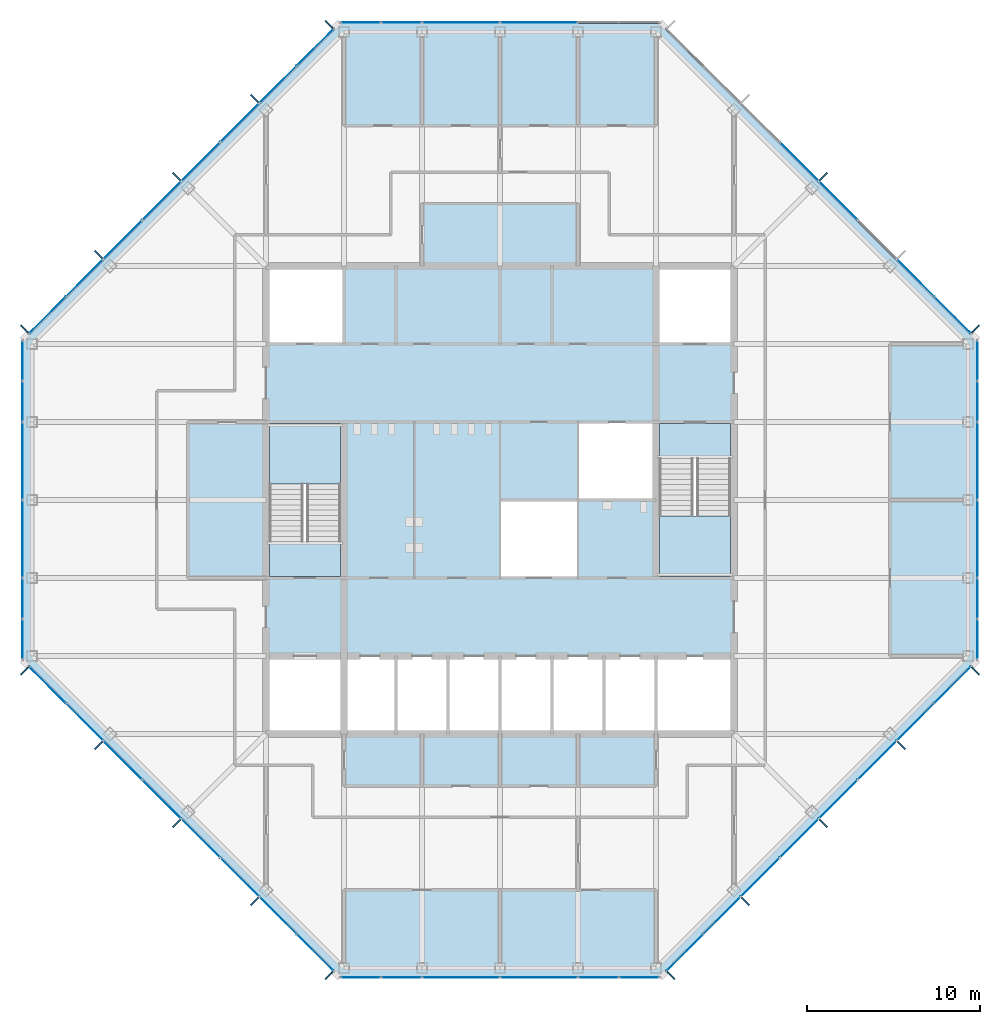
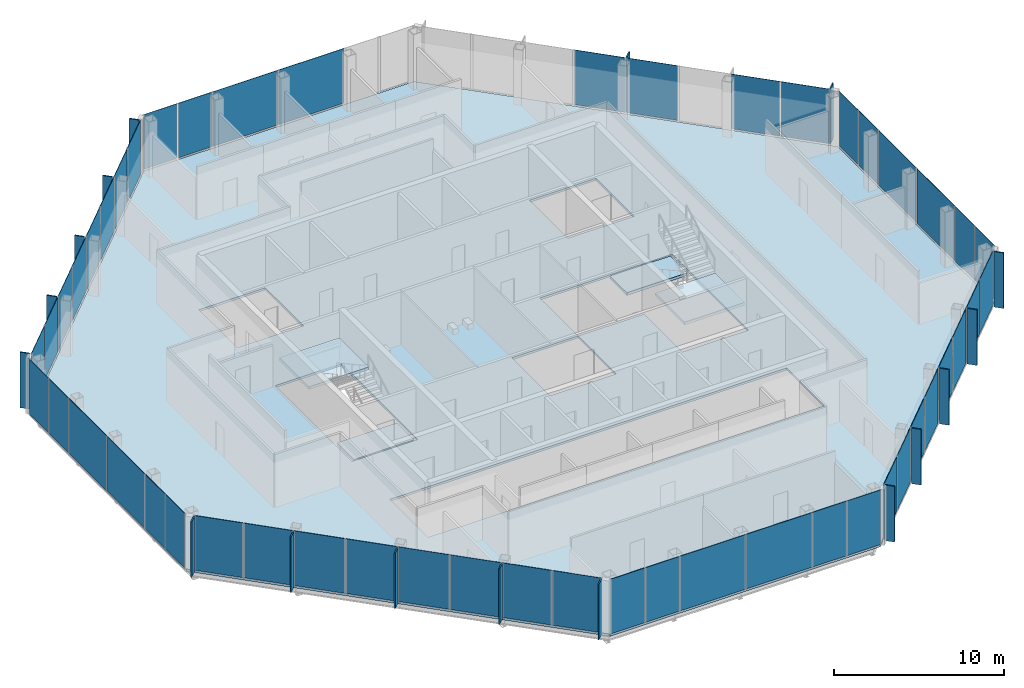
# One storey, part 8 of 14: 67 plates, 5 slabs, 10 elements without a shape of their own.
"""IFC4 building model written with IfcOpenShell, lengths in metres."""

import ifcopenshell
import ifcopenshell.guid

model = None  # the IFC model being written
_history = None  # IfcOwnerHistory: only IFC2X3 demands one
_inside = {}  # id of a spatial element -> (the spatial element, [elements in it])
_under = {}  # id of a project, library or spatial element -> (it, [spatial elements below it])
_declared = {}  # id of a project -> (the project, [libraries it declares])
_typed = {}  # id of a type object -> (the type object, [elements of that type])
_made_of = {}  # id of a material, layer set ... -> (it, [elements and type objects made of it])


def new_model(schema):
    """Start an empty IFC model of exactly this schema.

    Asked for "IFC4X3", IfcOpenShell would pick the latest addendum, in which some entities
    have other attributes; the version numbers below select the first issue.
    IFC2X3 requires an IfcOwnerHistory on every rooted entity: one is made here for all.
    """
    global model, _history
    if schema == "IFC4X3":
        model = ifcopenshell.file(schema_version=(4, 3, 0, 0))
    else:
        model = ifcopenshell.file(schema=schema)
    _inside.clear()
    _under.clear()
    _declared.clear()
    _typed.clear()
    _made_of.clear()
    _history = None
    if model.schema == "IFC2X3":
        org = make("IfcOrganization", Name="unknown")
        user = make(
            "IfcPersonAndOrganization",
            ThePerson=make("IfcPerson", FamilyName="unknown"),
            TheOrganization=org,
        )
        app = make(
            "IfcApplication",
            ApplicationDeveloper=org,
            Version="unknown",
            ApplicationFullName="unknown",
            ApplicationIdentifier="unknown",
        )
        _history = make(
            "IfcOwnerHistory",
            OwningUser=user,
            OwningApplication=app,
            ChangeAction="ADDED",
            CreationDate=0,
        )
    return model


def make(cls, **values):
    """One entity of the class cls with the attributes given. An attribute that is None is left unset."""
    return model.create_entity(
        cls, **{name: value for name, value in values.items() if value is not None}
    )


def rooted(cls, **values):
    """An entity with a GlobalId (a new one), such as an element, a storey or a relation."""
    return make(cls, GlobalId=ifcopenshell.guid.new(), OwnerHistory=_history, **values)


def si_unit(unit_type, name, prefix=None):
    """IfcSIUnit, for example si_unit("LENGTHUNIT", "METRE", prefix="MILLI")."""
    return make("IfcSIUnit", UnitType=unit_type, Prefix=prefix, Name=name)


def assignment(units):
    """IfcUnitAssignment: the units of a project."""
    return None if units is None else make("IfcUnitAssignment", Units=units)


def point(xyz):
    """IfcCartesianPoint."""
    return None if xyz is None else make("IfcCartesianPoint", Coordinates=xyz)


def direction(xyz):
    """IfcDirection."""
    return None if xyz is None else make("IfcDirection", DirectionRatios=xyz)


def frame(location, z_axis=None, x_axis=None):
    """IfcAxis2Placement3D, a coordinate frame: its origin and axes. An axis left out is left unset."""
    return make(
        "IfcAxis2Placement3D",
        Location=point(location),
        Axis=direction(z_axis),
        RefDirection=direction(x_axis),
    )


def frame_2d(location, x_axis=None):
    """IfcAxis2Placement2D, a coordinate frame in the plane: its origin and x axis."""
    return make(
        "IfcAxis2Placement2D", Location=point(location), RefDirection=direction(x_axis)
    )


def origin():
    """The frame at (0, 0, 0) with its axes left unset."""
    return frame((0.0, 0.0, 0.0))


def origin_2d():
    """The frame at (0, 0) in the plane with its x axis left unset."""
    return frame_2d((0.0, 0.0))


def place(relative_to, where):
    """IfcLocalPlacement: puts the frame where relative to a parent placement (None: the world)."""
    return make(
        "IfcLocalPlacement", PlacementRelTo=relative_to, RelativePlacement=where
    )


def context(
    kind, dimensions, precision=None, world=None, true_north=None, identifier=None
):
    """IfcGeometricRepresentationContext, for example the 3D "Model" context."""
    return make(
        "IfcGeometricRepresentationContext",
        ContextIdentifier=identifier,
        ContextType=kind,
        CoordinateSpaceDimension=dimensions,
        Precision=precision,
        WorldCoordinateSystem=world,
        TrueNorth=true_north,
    )


def subcontext(parent, identifier, kind, view, scale=None):
    """IfcGeometricRepresentationSubContext, for example "Body" below "Model"."""
    return make(
        "IfcGeometricRepresentationSubContext",
        ContextIdentifier=identifier,
        ContextType=kind,
        ParentContext=parent,
        TargetScale=scale,
        TargetView=view,
    )


def project(units=None, contexts=None):
    """IfcProject with its units and contexts."""
    return rooted(
        "IfcProject",
        Name="project",
        RepresentationContexts=contexts,
        UnitsInContext=assignment(units),
    )


def spatial(cls, under=None, at=None, **own):
    """A site, building, storey or space (cls), placed at a placement, below another one or the project."""
    s = rooted(cls, ObjectPlacement=at, **own)
    if under is not None:
        _under.setdefault(under.id(), (under, []))[1].append(s)
    return s


def polyline(points):
    """IfcPolyline through the points."""
    return make("IfcPolyline", Points=[point(p) for p in points])


def profile(cls, at=None, kind="AREA", **sizes):
    """A parametric profile (cls). Its sizes go by their IFC names, for example OverallWidth=200.0."""
    return make(cls, ProfileType=kind, Position=at, **sizes)


def rectangle(**sizes):
    """IfcRectangleProfileDef."""
    return profile("IfcRectangleProfileDef", **sizes)


def outline(outer, holes=None, kind="AREA"):
    """IfcArbitraryClosedProfileDef: a profile drawn as a closed curve; with holes, ...WithVoids."""
    if holes is None:
        return make("IfcArbitraryClosedProfileDef", ProfileType=kind, OuterCurve=outer)
    return make(
        "IfcArbitraryProfileDefWithVoids",
        ProfileType=kind,
        OuterCurve=outer,
        InnerCurves=holes,
    )


def extrude(swept, where, along, depth):
    """IfcExtrudedAreaSolid: the profile swept, set in the frame where, extruded along a direction by depth."""
    return make(
        "IfcExtrudedAreaSolid",
        SweptArea=swept,
        Position=where,
        ExtrudedDirection=direction(along),
        Depth=depth,
    )


def shape(context_of_items, identifier, shape_type, items):
    """IfcShapeRepresentation: the items that make up one representation, for example the "Body"."""
    return make(
        "IfcShapeRepresentation",
        ContextOfItems=context_of_items,
        RepresentationIdentifier=identifier,
        RepresentationType=shape_type,
        Items=items,
    )


def material(Name=None, Category=None):
    """IfcMaterial."""
    return make("IfcMaterial", Name=Name, Category=Category)


def layer(
    of_material, thickness, ventilated=None, Name=None, Category=None, Priority=None
):
    """IfcMaterialLayer: one layer of a wall or slab, of a material (None: an air gap)."""
    return make(
        "IfcMaterialLayer",
        Material=of_material,
        LayerThickness=thickness,
        IsVentilated=ventilated,
        Name=Name,
        Category=Category,
        Priority=Priority,
    )


def layer_set(layers, Name=None):
    """IfcMaterialLayerSet."""
    return make("IfcMaterialLayerSet", MaterialLayers=layers, LayerSetName=Name)


def made_of(thing, what):
    """Note that an element or type object is made of a material, layer set ...; save() writes the relation."""
    if what is not None:
        _made_of.setdefault(what.id(), (what, []))[1].append(thing)
    return thing


def type_object(cls, material=None, **own):
    """A type object (cls), such as IfcWallType, which elements share."""
    return made_of(rooted(cls, **own), material)


def element(
    cls,
    number,
    at=None,
    inside=None,
    cuts=None,
    type_object=None,
    material=None,
    context=None,
    identifier="Body",
    shape_type=None,
    held_by="IfcProductDefinitionShape",
    body=None,
    shapes=None,
    **own,
):
    """One element of the class cls, such as IfcWall. Its Tag is "e" and its number.

    at: its placement. inside: the storey or other place that contains it. cuts: it is an
    opening in that element (IfcRelVoidsElement). A single representation is given by context,
    identifier, shape_type and body (its items); several are given by shapes. held_by: the class
    of the entity that holds the representations. save() writes the other relations.
    """
    e = rooted(cls, Tag="e%d" % number, ObjectPlacement=at, **own)
    if body is not None:
        shapes = [shape(context, identifier, shape_type, body)]
    if shapes is not None:
        e.Representation = make(held_by, Representations=shapes)
    if inside is not None:
        _inside.setdefault(inside.id(), (inside, []))[1].append(e)
    if cuts is not None:
        rooted(
            "IfcRelVoidsElement", RelatingBuildingElement=cuts, RelatedOpeningElement=e
        )
    if type_object is not None:
        _typed.setdefault(type_object.id(), (type_object, []))[1].append(e)
    return made_of(e, material)


def aggregate(whole, parts):
    """IfcRelAggregates: a whole, such as a stair, and the parts it consists of."""
    return rooted("IfcRelAggregates", RelatingObject=whole, RelatedObjects=parts)


def save(model, path):
    """Write the relations noted so far, then the file.

    IfcRelAggregates (storeys below a building ...), IfcRelContainedInSpatialStructure (elements
    in a storey), IfcRelDefinesByType, IfcRelAssociatesMaterial and IfcRelDeclares: one each for
    every whole, place, type object, material and project.
    """
    for whole, parts in _under.values():
        aggregate(whole, parts)
    for where, things in _inside.values():
        rooted(
            "IfcRelContainedInSpatialStructure",
            RelatedElements=things,
            RelatingStructure=where,
        )
    for kind, things in _typed.values():
        rooted("IfcRelDefinesByType", RelatedObjects=things, RelatingType=kind)
    for what, things in _made_of.values():
        rooted("IfcRelAssociatesMaterial", RelatedObjects=things, RelatingMaterial=what)
    for by, libraries in _declared.values():
        rooted("IfcRelDeclares", RelatingContext=by, RelatedDefinitions=libraries)
    model.write(path)


model = new_model("IFC4")

# Units and contexts
model_context = context("Model", 3, precision=1e-05, world=origin(), true_north=direction((0.0, 1.0)))
body_context = subcontext(model_context, "Body", "Model", "MODEL_VIEW")
ifc_project = project(units=[si_unit("LENGTHUNIT", "METRE"), si_unit("AREAUNIT", "SQUARE_METRE"), si_unit("VOLUMEUNIT", "CUBIC_METRE"), si_unit("PLANEANGLEUNIT", "RADIAN"), si_unit("MASSUNIT", "GRAM", prefix="KILO")], contexts=[model_context])

# Site, building, storey
site_placement = place(None, origin())
site = spatial("IfcSite", under=ifc_project, at=site_placement, CompositionType="ELEMENT")
building_placement = place(site_placement, origin())
building = spatial("IfcBuilding", under=site, at=building_placement, Name="Corais Broadcast Tower", CompositionType="ELEMENT")
storey_placement = place(building_placement, frame((0.0, 0.0, 282.60009765625)))
storey = spatial("IfcBuildingStorey", under=building, at=storey_placement, Name="L66", CompositionType="ELEMENT", Elevation=282.60009765625)

# Slab
ifc_material_1 = material(Name="Concrete C30/37", Category="concrete")
ifc_layer_1 = layer(ifc_material_1, 0.159912109375)
ifc_layer_set_1 = layer_set([ifc_layer_1], Name="Concrete C30/37")
slab_type_1 = type_object("IfcSlabType", Name="Composite floor slab 160", PredefinedType="FLOOR", material=ifc_layer_set_1)
slab_1_placement = place(storey_placement, frame((0.0, 0.0, -0.16015625)))
element("IfcSlab", 1, at=slab_1_placement, inside=storey, type_object=slab_type_1, Name="S160 floor slab L66", PredefinedType="FLOOR", context=body_context, shape_type="SweptSolid", body=[
    extrude(outline(polyline([(17.80126953125, -0.47998046875), (-0.47998046875, 17.80126953125), (-0.47998046875, 36.19873046875), (17.80126953125, 54.47998046875), (36.19873046875, 54.47998046875), (54.47998046875, 36.19873046875), (54.47998046875, 17.80126953125), (36.19873046875, -0.47998046875), (17.80126953125, -0.47998046875)]), holes=[polyline([(13.5, 18.0), (40.5, 18.0), (40.5, 13.5), (13.5, 13.5), (13.5, 18.0)]), polyline([(18.0, 22.5), (13.5, 22.5), (13.5, 31.5), (18.0, 31.5), (18.0, 22.5)]), polyline([(18.0, 36.0), (13.5, 36.0), (13.5, 40.5), (18.0, 40.5), (18.0, 36.0)]), polyline([(31.5, 22.5), (27.0, 22.5), (27.0, 27.0), (31.4951171875, 27.0), (31.4951171875, 27.0048828125), (31.5, 27.0048828125), (31.5, 31.5), (40.5, 31.5), (40.5, 22.5), (36.0, 22.5), (36.0, 27.0), (31.5048828125, 27.0), (31.5048828125, 26.9951171875), (31.5, 26.9951171875), (31.5, 22.5)]), polyline([(40.5, 36.0), (36.0, 36.0), (36.0, 40.5), (40.5, 40.5), (40.5, 36.0)])]), origin(), (0.0, 0.0, 1.0), 0.16015625),
])

# Curtain wall, plates
ifc_material_2 = material(Name="Aluminium and glass", Category="aluminium")
curtain_wall_type = type_object("IfcCurtainWallType", Name="Unitised fritted curtain wall CW3", PredefinedType="NOTDEFINED", material=ifc_material_2)
curtain_wall_1_placement = place(storey_placement, origin())
curtain_wall_1 = element("IfcCurtainWall", 2, at=curtain_wall_1_placement, inside=storey, type_object=curtain_wall_type, Name="CW3 curtain wall L66 1", PredefinedType="NOTDEFINED")
ifc_material_3 = material(Name="Ceramic-fritted laminated glass", Category="glass")
ifc_layer_2 = layer(ifc_material_3, 0.02587890625)
ifc_layer_set_2 = layer_set([ifc_layer_2], Name="Ceramic-fritted laminated glass")
plate_type_1 = type_object("IfcPlateType", Name="Fritted glass panel CW3", PredefinedType="CURTAIN_PANEL", material=ifc_layer_set_2)
plate_1_placement = place(storey_placement, frame((16.330322265625, 0.891845703125, 0.06494140625), z_axis=(0.0, 0.0, 1.0), x_axis=(-0.707106781187, 0.707106781187, 0.0)))
plate_1 = element("IfcPlate", 3, at=plate_1_placement, type_object=plate_type_1, Name="CW3 panel 1", PredefinedType="CURTAIN_PANEL", context=body_context, shape_type="SweptSolid", body=[
    extrude(rectangle(XDim=2.9482421875, YDim=0.02587890625, at=origin_2d()), origin(), (0.0, 0.0, 1.0), 3.93505859375),
])
plate_2_placement = place(storey_placement, frame((11.986083984375, 5.236083984375, 0.06494140625), z_axis=(0.0, 0.0, 1.0), x_axis=(-0.707106781187, 0.707106781187, 0.0)))
plate_2 = element("IfcPlate", 4, at=plate_2_placement, type_object=plate_type_1, Name="CW3 panel 3", PredefinedType="CURTAIN_PANEL", context=body_context, shape_type="SweptSolid", body=[
    extrude(rectangle(XDim=3.116943359375, YDim=0.02587890625, at=origin_2d()), origin(), (0.0, 0.0, 1.0), 3.93505859375),
])
plate_3_placement = place(storey_placement, frame((7.486083984375, 9.736083984375, 0.06494140625), z_axis=(0.0, 0.0, 1.0), x_axis=(-0.707106781187, 0.707106781187, 0.0)))
plate_3 = element("IfcPlate", 5, at=plate_3_placement, type_object=plate_type_1, Name="CW3 panel 5", PredefinedType="CURTAIN_PANEL", context=body_context, shape_type="SweptSolid", body=[
    extrude(rectangle(XDim=3.116943359375, YDim=0.02587890625, at=origin_2d()), origin(), (0.0, 0.0, 1.0), 3.93505859375),
])
plate_4_placement = place(storey_placement, frame((3.0341796875, 14.18798828125, 0.06494140625), z_axis=(0.0, 0.0, 1.0), x_axis=(-0.707106781187, 0.707106781187, 0.0)))
plate_4 = element("IfcPlate", 6, at=plate_4_placement, type_object=plate_type_1, Name="CW3 panel 7", PredefinedType="CURTAIN_PANEL", context=body_context, shape_type="SweptSolid", body=[
    extrude(rectangle(XDim=2.98095703125, YDim=0.02587890625, at=origin_2d()), origin(), (0.0, 0.0, 1.0), 3.93505859375),
])

curtain_wall_2_placement = place(storey_placement, origin())
curtain_wall_2 = element("IfcCurtainWall", 7, at=curtain_wall_2_placement, inside=storey, type_object=curtain_wall_type, Name="CW3 curtain wall L66 2", PredefinedType="NOTDEFINED")
plate_5_placement = place(storey_placement, frame((-0.550048828125, 18.970458984375, 0.06494140625), z_axis=(0.0, 0.0, 1.0), x_axis=(0.0, 1.0, 0.0)))
plate_5 = element("IfcPlate", 8, at=plate_5_placement, type_object=plate_type_1, Name="CW3 panel 1", PredefinedType="CURTAIN_PANEL", context=body_context, shape_type="SweptSolid", body=[
    extrude(rectangle(XDim=2.266357421875, YDim=0.02587890625, at=origin_2d()), origin(), (0.0, 0.0, 1.0), 3.93505859375),
])
plate_6_placement = place(storey_placement, frame((-0.550048828125, 24.75, 0.06494140625), z_axis=(0.0, 0.0, 1.0), x_axis=(0.0, 1.0, 0.0)))
plate_6 = element("IfcPlate", 9, at=plate_6_placement, type_object=plate_type_1, Name="CW3 panel 3", PredefinedType="CURTAIN_PANEL", context=body_context, shape_type="SweptSolid", body=[
    extrude(rectangle(XDim=4.43505859375, YDim=0.02587890625, at=origin_2d()), origin(), (0.0, 0.0, 1.0), 3.93505859375),
])
plate_7_placement = place(storey_placement, frame((-0.550048828125, 32.681884765625, 0.06494140625), z_axis=(0.0, 0.0, 1.0), x_axis=(0.0, 1.0, 0.0)))
plate_7 = element("IfcPlate", 10, at=plate_7_placement, type_object=plate_type_1, Name="CW3 panel 5", PredefinedType="CURTAIN_PANEL", context=body_context, shape_type="SweptSolid", body=[
    extrude(rectangle(XDim=2.298828125, YDim=0.02587890625, at=origin_2d()), origin(), (0.0, 0.0, 1.0), 3.93505859375),
])

curtain_wall_3_placement = place(storey_placement, origin())
curtain_wall_3 = element("IfcCurtainWall", 11, at=curtain_wall_3_placement, inside=storey, type_object=curtain_wall_type, Name="CW3 curtain wall L66 3", PredefinedType="NOTDEFINED")
plate_8_placement = place(storey_placement, frame((0.891845703125, 37.669677734375, 0.06494140625), z_axis=(0.0, 0.0, 1.0), x_axis=(0.707106781187, 0.707106781187, 0.0)))
plate_8 = element("IfcPlate", 12, at=plate_8_placement, type_object=plate_type_1, Name="CW3 panel 1", PredefinedType="CURTAIN_PANEL", context=body_context, shape_type="SweptSolid", body=[
    extrude(rectangle(XDim=2.9482421875, YDim=0.02587890625, at=origin_2d()), origin(), (0.0, 0.0, 1.0), 3.93505859375),
])
plate_9_placement = place(storey_placement, frame((5.236083984375, 42.013916015625, 0.06494140625), z_axis=(0.0, 0.0, 1.0), x_axis=(0.707106781187, 0.707106781187, 0.0)))
plate_9 = element("IfcPlate", 13, at=plate_9_placement, type_object=plate_type_1, Name="CW3 panel 3", PredefinedType="CURTAIN_PANEL", context=body_context, shape_type="SweptSolid", body=[
    extrude(rectangle(XDim=3.116943359375, YDim=0.02587890625, at=origin_2d()), origin(), (0.0, 0.0, 1.0), 3.93505859375),
])
plate_10_placement = place(storey_placement, frame((9.736083984375, 46.513916015625, 0.06494140625), z_axis=(0.0, 0.0, 1.0), x_axis=(0.707106781187, 0.707106781187, 0.0)))
plate_10 = element("IfcPlate", 14, at=plate_10_placement, type_object=plate_type_1, Name="CW3 panel 5", PredefinedType="CURTAIN_PANEL", context=body_context, shape_type="SweptSolid", body=[
    extrude(rectangle(XDim=3.116943359375, YDim=0.02587890625, at=origin_2d()), origin(), (0.0, 0.0, 1.0), 3.93505859375),
])
plate_11_placement = place(storey_placement, frame((14.18798828125, 50.9658203125, 0.06494140625), z_axis=(0.0, 0.0, 1.0), x_axis=(0.707106781187, 0.707106781187, 0.0)))
plate_11 = element("IfcPlate", 15, at=plate_11_placement, type_object=plate_type_1, Name="CW3 panel 7", PredefinedType="CURTAIN_PANEL", context=body_context, shape_type="SweptSolid", body=[
    extrude(rectangle(XDim=2.98095703125, YDim=0.02587890625, at=origin_2d()), origin(), (0.0, 0.0, 1.0), 3.93505859375),
])

curtain_wall_4_placement = place(storey_placement, origin())
curtain_wall_4 = element("IfcCurtainWall", 16, at=curtain_wall_4_placement, inside=storey, type_object=curtain_wall_type, Name="CW3 curtain wall L66 4", PredefinedType="NOTDEFINED")
plate_12_placement = place(storey_placement, frame((18.970458984375, 54.550048828125, 0.06494140625), z_axis=(0.0, 0.0, 1.0), x_axis=(1.0, 0.0, 0.0)))
plate_12 = element("IfcPlate", 17, at=plate_12_placement, type_object=plate_type_1, Name="CW3 panel 1", PredefinedType="CURTAIN_PANEL", context=body_context, shape_type="SweptSolid", body=[
    extrude(rectangle(XDim=2.266357421875, YDim=0.02587890625, at=origin_2d()), origin(), (0.0, 0.0, 1.0), 3.93505859375),
])
plate_13_placement = place(storey_placement, frame((24.75, 54.550048828125, 0.06494140625), z_axis=(0.0, 0.0, 1.0), x_axis=(1.0, 0.0, 0.0)))
plate_13 = element("IfcPlate", 18, at=plate_13_placement, type_object=plate_type_1, Name="CW3 panel 3", PredefinedType="CURTAIN_PANEL", context=body_context, shape_type="SweptSolid", body=[
    extrude(rectangle(XDim=4.43505859375, YDim=0.02587890625, at=origin_2d()), origin(), (0.0, 0.0, 1.0), 3.93505859375),
])

curtain_wall_5_placement = place(storey_placement, origin())
curtain_wall_5 = element("IfcCurtainWall", 19, at=curtain_wall_5_placement, inside=storey, type_object=curtain_wall_type, Name="CW3 curtain wall L66 5", PredefinedType="NOTDEFINED")
plate_14_placement = place(storey_placement, frame((46.513916015625, 44.263916015625, 0.06494140625), z_axis=(0.0, 0.0, 1.0), x_axis=(0.707106781187, -0.707106781187, 0.0)))
plate_14 = element("IfcPlate", 20, at=plate_14_placement, type_object=plate_type_1, Name="CW3 panel 5", PredefinedType="CURTAIN_PANEL", context=body_context, shape_type="SweptSolid", body=[
    extrude(rectangle(XDim=3.116943359375, YDim=0.02587890625, at=origin_2d()), origin(), (0.0, 0.0, 1.0), 3.93505859375),
])
plate_15_placement = place(storey_placement, frame((50.9658203125, 39.81201171875, 0.06494140625), z_axis=(0.0, 0.0, 1.0), x_axis=(0.707106781187, -0.707106781187, 0.0)))
plate_15 = element("IfcPlate", 21, at=plate_15_placement, type_object=plate_type_1, Name="CW3 panel 7", PredefinedType="CURTAIN_PANEL", context=body_context, shape_type="SweptSolid", body=[
    extrude(rectangle(XDim=2.98095703125, YDim=0.02587890625, at=origin_2d()), origin(), (0.0, 0.0, 1.0), 3.93505859375),
])

curtain_wall_6_placement = place(storey_placement, origin())
curtain_wall_6 = element("IfcCurtainWall", 22, at=curtain_wall_6_placement, inside=storey, type_object=curtain_wall_type, Name="CW3 curtain wall L66 6", PredefinedType="NOTDEFINED")
plate_16_placement = place(storey_placement, frame((54.550048828125, 35.029541015625, 0.06494140625), z_axis=(0.0, 0.0, 1.0), x_axis=(0.0, -1.0, 0.0)))
plate_16 = element("IfcPlate", 23, at=plate_16_placement, type_object=plate_type_1, Name="CW3 panel 1", PredefinedType="CURTAIN_PANEL", context=body_context, shape_type="SweptSolid", body=[
    extrude(rectangle(XDim=2.266357421875, YDim=0.02587890625, at=origin_2d()), origin(), (0.0, 0.0, 1.0), 3.93505859375),
])
plate_17_placement = place(storey_placement, frame((54.550048828125, 29.25, 0.06494140625), z_axis=(0.0, 0.0, 1.0), x_axis=(0.0, -1.0, 0.0)))
plate_17 = element("IfcPlate", 24, at=plate_17_placement, type_object=plate_type_1, Name="CW3 panel 3", PredefinedType="CURTAIN_PANEL", context=body_context, shape_type="SweptSolid", body=[
    extrude(rectangle(XDim=4.43505859375, YDim=0.02587890625, at=origin_2d()), origin(), (0.0, 0.0, 1.0), 3.93505859375),
])
plate_18_placement = place(storey_placement, frame((54.550048828125, 21.318115234375, 0.06494140625), z_axis=(0.0, 0.0, 1.0), x_axis=(0.0, -1.0, 0.0)))
plate_18 = element("IfcPlate", 25, at=plate_18_placement, type_object=plate_type_1, Name="CW3 panel 5", PredefinedType="CURTAIN_PANEL", context=body_context, shape_type="SweptSolid", body=[
    extrude(rectangle(XDim=2.298828125, YDim=0.02587890625, at=origin_2d()), origin(), (0.0, 0.0, 1.0), 3.93505859375),
])

curtain_wall_7_placement = place(storey_placement, origin())
curtain_wall_7 = element("IfcCurtainWall", 26, at=curtain_wall_7_placement, inside=storey, type_object=curtain_wall_type, Name="CW3 curtain wall L66 7", PredefinedType="NOTDEFINED")
plate_19_placement = place(storey_placement, frame((53.108154296875, 16.330322265625, 0.06494140625), z_axis=(0.0, 0.0, 1.0), x_axis=(-0.707106781187, -0.707106781187, 0.0)))
plate_19 = element("IfcPlate", 27, at=plate_19_placement, type_object=plate_type_1, Name="CW3 panel 1", PredefinedType="CURTAIN_PANEL", context=body_context, shape_type="SweptSolid", body=[
    extrude(rectangle(XDim=2.9482421875, YDim=0.02587890625, at=origin_2d()), origin(), (0.0, 0.0, 1.0), 3.93505859375),
])
plate_20_placement = place(storey_placement, frame((48.763916015625, 11.986083984375, 0.06494140625), z_axis=(0.0, 0.0, 1.0), x_axis=(-0.707106781187, -0.707106781187, 0.0)))
plate_20 = element("IfcPlate", 28, at=plate_20_placement, type_object=plate_type_1, Name="CW3 panel 3", PredefinedType="CURTAIN_PANEL", context=body_context, shape_type="SweptSolid", body=[
    extrude(rectangle(XDim=3.116943359375, YDim=0.02587890625, at=origin_2d()), origin(), (0.0, 0.0, 1.0), 3.93505859375),
])
plate_21_placement = place(storey_placement, frame((44.263916015625, 7.486083984375, 0.06494140625), z_axis=(0.0, 0.0, 1.0), x_axis=(-0.707106781187, -0.707106781187, 0.0)))
plate_21 = element("IfcPlate", 29, at=plate_21_placement, type_object=plate_type_1, Name="CW3 panel 5", PredefinedType="CURTAIN_PANEL", context=body_context, shape_type="SweptSolid", body=[
    extrude(rectangle(XDim=3.116943359375, YDim=0.02587890625, at=origin_2d()), origin(), (0.0, 0.0, 1.0), 3.93505859375),
])
plate_22_placement = place(storey_placement, frame((39.81201171875, 3.0341796875, 0.06494140625), z_axis=(0.0, 0.0, 1.0), x_axis=(-0.707106781187, -0.707106781187, 0.0)))
plate_22 = element("IfcPlate", 30, at=plate_22_placement, type_object=plate_type_1, Name="CW3 panel 7", PredefinedType="CURTAIN_PANEL", context=body_context, shape_type="SweptSolid", body=[
    extrude(rectangle(XDim=2.98095703125, YDim=0.02587890625, at=origin_2d()), origin(), (0.0, 0.0, 1.0), 3.93505859375),
])

curtain_wall_8_placement = place(storey_placement, origin())
curtain_wall_8 = element("IfcCurtainWall", 31, at=curtain_wall_8_placement, inside=storey, type_object=curtain_wall_type, Name="CW3 curtain wall L66 8", PredefinedType="NOTDEFINED")
plate_23_placement = place(storey_placement, frame((35.029541015625, -0.550048828125, 0.06494140625), z_axis=(0.0, 0.0, 1.0), x_axis=(-1.0, 0.0, 0.0)))
plate_23 = element("IfcPlate", 32, at=plate_23_placement, type_object=plate_type_1, Name="CW3 panel 1", PredefinedType="CURTAIN_PANEL", context=body_context, shape_type="SweptSolid", body=[
    extrude(rectangle(XDim=2.266357421875, YDim=0.02587890625, at=origin_2d()), origin(), (0.0, 0.0, 1.0), 3.93505859375),
])
plate_24_placement = place(storey_placement, frame((29.25, -0.550048828125, 0.06494140625), z_axis=(0.0, 0.0, 1.0), x_axis=(-1.0, 0.0, 0.0)))
plate_24 = element("IfcPlate", 33, at=plate_24_placement, type_object=plate_type_1, Name="CW3 panel 3", PredefinedType="CURTAIN_PANEL", context=body_context, shape_type="SweptSolid", body=[
    extrude(rectangle(XDim=4.43505859375, YDim=0.02587890625, at=origin_2d()), origin(), (0.0, 0.0, 1.0), 3.93505859375),
])
plate_25_placement = place(storey_placement, frame((21.318115234375, -0.550048828125, 0.06494140625), z_axis=(0.0, 0.0, 1.0), x_axis=(-1.0, 0.0, 0.0)))
plate_25 = element("IfcPlate", 34, at=plate_25_placement, type_object=plate_type_1, Name="CW3 panel 5", PredefinedType="CURTAIN_PANEL", context=body_context, shape_type="SweptSolid", body=[
    extrude(rectangle(XDim=2.298828125, YDim=0.02587890625, at=origin_2d()), origin(), (0.0, 0.0, 1.0), 3.93505859375),
])

# Plate
ifc_material_4 = material(Name="Clear laminated glass", Category="glass")
ifc_layer_3 = layer(ifc_material_4, 0.030029296875)
ifc_layer_set_3 = layer_set([ifc_layer_3], Name="Clear laminated glass")
plate_type_2 = type_object("IfcPlateType", Name="Operable glass panel CW3", PredefinedType="CURTAIN_PANEL", material=ifc_layer_set_3)
plate_26_placement = place(storey_placement, frame((14.18798828125, 3.0341796875, 0.06494140625), z_axis=(0.0, 0.0, 1.0), x_axis=(-0.707106781187, 0.707106781187, 0.0)))
plate_26 = element("IfcPlate", 35, at=plate_26_placement, type_object=plate_type_2, Name="CW3 operable panel 2", PredefinedType="CURTAIN_PANEL", context=body_context, shape_type="SweptSolid", body=[
    extrude(rectangle(XDim=2.98095703125, YDim=0.030029296875, at=origin_2d()), origin(), (0.0, 0.0, 1.0), 3.93505859375),
])

plate_27_placement = place(storey_placement, frame((9.736083984375, 7.486083984375, 0.06494140625), z_axis=(0.0, 0.0, 1.0), x_axis=(-0.707106781187, 0.707106781187, 0.0)))
plate_27 = element("IfcPlate", 36, at=plate_27_placement, type_object=plate_type_2, Name="CW3 operable panel 4", PredefinedType="CURTAIN_PANEL", context=body_context, shape_type="SweptSolid", body=[
    extrude(rectangle(XDim=3.116943359375, YDim=0.030029296875, at=origin_2d()), origin(), (0.0, 0.0, 1.0), 3.93505859375),
])

plate_28_placement = place(storey_placement, frame((5.236083984375, 11.986083984375, 0.06494140625), z_axis=(0.0, 0.0, 1.0), x_axis=(-0.707106781187, 0.707106781187, 0.0)))
plate_28 = element("IfcPlate", 37, at=plate_28_placement, type_object=plate_type_2, Name="CW3 operable panel 6", PredefinedType="CURTAIN_PANEL", context=body_context, shape_type="SweptSolid", body=[
    extrude(rectangle(XDim=3.116943359375, YDim=0.030029296875, at=origin_2d()), origin(), (0.0, 0.0, 1.0), 3.93505859375),
])

plate_29_placement = place(storey_placement, frame((0.89208984375, 16.330322265625, 0.06494140625), z_axis=(0.0, 0.0, 1.0), x_axis=(-0.707106781187, 0.707106781187, 0.0)))
plate_29 = element("IfcPlate", 38, at=plate_29_placement, type_object=plate_type_2, Name="CW3 operable panel 8", PredefinedType="CURTAIN_PANEL", context=body_context, shape_type="SweptSolid", body=[
    extrude(rectangle(XDim=2.948486328125, YDim=0.030029296875, at=origin_2d()), origin(), (0.0, 0.0, 1.0), 3.93505859375),
])

aggregate(curtain_wall_1, [plate_1, plate_26, plate_2, plate_27, plate_3, plate_28, plate_4, plate_29])

plate_30_placement = place(storey_placement, frame((-0.550048828125, 21.318115234375, 0.06494140625), z_axis=(0.0, 0.0, 1.0), x_axis=(0.0, 1.0, 0.0)))
plate_30 = element("IfcPlate", 39, at=plate_30_placement, type_object=plate_type_2, Name="CW3 operable panel 2", PredefinedType="CURTAIN_PANEL", context=body_context, shape_type="SweptSolid", body=[
    extrude(rectangle(XDim=2.298828125, YDim=0.030029296875, at=origin_2d()), origin(), (0.0, 0.0, 1.0), 3.93505859375),
])

plate_31_placement = place(storey_placement, frame((-0.550048828125, 29.25, 0.06494140625), z_axis=(0.0, 0.0, 1.0), x_axis=(0.0, 1.0, 0.0)))
plate_31 = element("IfcPlate", 40, at=plate_31_placement, type_object=plate_type_2, Name="CW3 operable panel 4", PredefinedType="CURTAIN_PANEL", context=body_context, shape_type="SweptSolid", body=[
    extrude(rectangle(XDim=4.43505859375, YDim=0.030029296875, at=origin_2d()), origin(), (0.0, 0.0, 1.0), 3.93505859375),
])

plate_32_placement = place(storey_placement, frame((-0.550048828125, 35.029541015625, 0.06494140625), z_axis=(0.0, 0.0, 1.0), x_axis=(0.0, 1.0, 0.0)))
plate_32 = element("IfcPlate", 41, at=plate_32_placement, type_object=plate_type_2, Name="CW3 operable panel 6", PredefinedType="CURTAIN_PANEL", context=body_context, shape_type="SweptSolid", body=[
    extrude(rectangle(XDim=2.266357421875, YDim=0.030029296875, at=origin_2d()), origin(), (0.0, 0.0, 1.0), 3.93505859375),
])

aggregate(curtain_wall_2, [plate_5, plate_30, plate_6, plate_31, plate_7, plate_32])

plate_33_placement = place(storey_placement, frame((3.0341796875, 39.81201171875, 0.06494140625), z_axis=(0.0, 0.0, 1.0), x_axis=(0.707106781187, 0.707106781187, 0.0)))
plate_33 = element("IfcPlate", 42, at=plate_33_placement, type_object=plate_type_2, Name="CW3 operable panel 2", PredefinedType="CURTAIN_PANEL", context=body_context, shape_type="SweptSolid", body=[
    extrude(rectangle(XDim=2.98095703125, YDim=0.030029296875, at=origin_2d()), origin(), (0.0, 0.0, 1.0), 3.93505859375),
])

plate_34_placement = place(storey_placement, frame((7.486083984375, 44.263916015625, 0.06494140625), z_axis=(0.0, 0.0, 1.0), x_axis=(0.707106781187, 0.707106781187, 0.0)))
plate_34 = element("IfcPlate", 43, at=plate_34_placement, type_object=plate_type_2, Name="CW3 operable panel 4", PredefinedType="CURTAIN_PANEL", context=body_context, shape_type="SweptSolid", body=[
    extrude(rectangle(XDim=3.116943359375, YDim=0.030029296875, at=origin_2d()), origin(), (0.0, 0.0, 1.0), 3.93505859375),
])

plate_35_placement = place(storey_placement, frame((11.986083984375, 48.763916015625, 0.06494140625), z_axis=(0.0, 0.0, 1.0), x_axis=(0.707106781187, 0.707106781187, 0.0)))
plate_35 = element("IfcPlate", 44, at=plate_35_placement, type_object=plate_type_2, Name="CW3 operable panel 6", PredefinedType="CURTAIN_PANEL", context=body_context, shape_type="SweptSolid", body=[
    extrude(rectangle(XDim=3.116943359375, YDim=0.030029296875, at=origin_2d()), origin(), (0.0, 0.0, 1.0), 3.93505859375),
])

plate_36_placement = place(storey_placement, frame((16.330322265625, 53.10791015625, 0.06494140625), z_axis=(0.0, 0.0, 1.0), x_axis=(0.707106781187, 0.707106781187, 0.0)))
plate_36 = element("IfcPlate", 45, at=plate_36_placement, type_object=plate_type_2, Name="CW3 operable panel 8", PredefinedType="CURTAIN_PANEL", context=body_context, shape_type="SweptSolid", body=[
    extrude(rectangle(XDim=2.948486328125, YDim=0.030029296875, at=origin_2d()), origin(), (0.0, 0.0, 1.0), 3.93505859375),
])

aggregate(curtain_wall_3, [plate_8, plate_33, plate_9, plate_34, plate_10, plate_35, plate_11, plate_36])

plate_37_placement = place(storey_placement, frame((21.318115234375, 54.550048828125, 0.06494140625), z_axis=(0.0, 0.0, 1.0), x_axis=(1.0, 0.0, 0.0)))
plate_37 = element("IfcPlate", 46, at=plate_37_placement, type_object=plate_type_2, Name="CW3 operable panel 2", PredefinedType="CURTAIN_PANEL", context=body_context, shape_type="SweptSolid", body=[
    extrude(rectangle(XDim=2.298828125, YDim=0.030029296875, at=origin_2d()), origin(), (0.0, 0.0, 1.0), 3.93505859375),
])

plate_38_placement = place(storey_placement, frame((29.25, 54.550048828125, 0.06494140625), z_axis=(0.0, 0.0, 1.0), x_axis=(1.0, 0.0, 0.0)))
plate_38 = element("IfcPlate", 47, at=plate_38_placement, type_object=plate_type_2, Name="CW3 operable panel 4", PredefinedType="CURTAIN_PANEL", context=body_context, shape_type="SweptSolid", body=[
    extrude(rectangle(XDim=4.43505859375, YDim=0.030029296875, at=origin_2d()), origin(), (0.0, 0.0, 1.0), 3.93505859375),
])

aggregate(curtain_wall_4, [plate_12, plate_37, plate_13, plate_38])

plate_39_placement = place(storey_placement, frame((44.263916015625, 46.513916015625, 0.06494140625), z_axis=(0.0, 0.0, 1.0), x_axis=(0.707106781187, -0.707106781187, 0.0)))
plate_39 = element("IfcPlate", 48, at=plate_39_placement, type_object=plate_type_2, Name="CW3 operable panel 4", PredefinedType="CURTAIN_PANEL", context=body_context, shape_type="SweptSolid", body=[
    extrude(rectangle(XDim=3.116943359375, YDim=0.030029296875, at=origin_2d()), origin(), (0.0, 0.0, 1.0), 3.93505859375),
])

plate_40_placement = place(storey_placement, frame((53.10791015625, 37.669677734375, 0.06494140625), z_axis=(0.0, 0.0, 1.0), x_axis=(0.707106781187, -0.707106781187, 0.0)))
plate_40 = element("IfcPlate", 49, at=plate_40_placement, type_object=plate_type_2, Name="CW3 operable panel 8", PredefinedType="CURTAIN_PANEL", context=body_context, shape_type="SweptSolid", body=[
    extrude(rectangle(XDim=2.948486328125, YDim=0.030029296875, at=origin_2d()), origin(), (0.0, 0.0, 1.0), 3.93505859375),
])

aggregate(curtain_wall_5, [plate_39, plate_14, plate_15, plate_40])

plate_41_placement = place(storey_placement, frame((54.550048828125, 32.681884765625, 0.06494140625), z_axis=(0.0, 0.0, 1.0), x_axis=(0.0, -1.0, 0.0)))
plate_41 = element("IfcPlate", 50, at=plate_41_placement, type_object=plate_type_2, Name="CW3 operable panel 2", PredefinedType="CURTAIN_PANEL", context=body_context, shape_type="SweptSolid", body=[
    extrude(rectangle(XDim=2.298828125, YDim=0.030029296875, at=origin_2d()), origin(), (0.0, 0.0, 1.0), 3.93505859375),
])

plate_42_placement = place(storey_placement, frame((54.550048828125, 24.75, 0.06494140625), z_axis=(0.0, 0.0, 1.0), x_axis=(0.0, -1.0, 0.0)))
plate_42 = element("IfcPlate", 51, at=plate_42_placement, type_object=plate_type_2, Name="CW3 operable panel 4", PredefinedType="CURTAIN_PANEL", context=body_context, shape_type="SweptSolid", body=[
    extrude(rectangle(XDim=4.43505859375, YDim=0.030029296875, at=origin_2d()), origin(), (0.0, 0.0, 1.0), 3.93505859375),
])

plate_43_placement = place(storey_placement, frame((54.550048828125, 18.970458984375, 0.06494140625), z_axis=(0.0, 0.0, 1.0), x_axis=(0.0, -1.0, 0.0)))
plate_43 = element("IfcPlate", 52, at=plate_43_placement, type_object=plate_type_2, Name="CW3 operable panel 6", PredefinedType="CURTAIN_PANEL", context=body_context, shape_type="SweptSolid", body=[
    extrude(rectangle(XDim=2.266357421875, YDim=0.030029296875, at=origin_2d()), origin(), (0.0, 0.0, 1.0), 3.93505859375),
])

aggregate(curtain_wall_6, [plate_16, plate_41, plate_17, plate_42, plate_18, plate_43])

plate_44_placement = place(storey_placement, frame((50.9658203125, 14.18798828125, 0.06494140625), z_axis=(0.0, 0.0, 1.0), x_axis=(-0.707106781187, -0.707106781187, 0.0)))
plate_44 = element("IfcPlate", 53, at=plate_44_placement, type_object=plate_type_2, Name="CW3 operable panel 2", PredefinedType="CURTAIN_PANEL", context=body_context, shape_type="SweptSolid", body=[
    extrude(rectangle(XDim=2.98095703125, YDim=0.030029296875, at=origin_2d()), origin(), (0.0, 0.0, 1.0), 3.93505859375),
])

plate_45_placement = place(storey_placement, frame((46.513916015625, 9.736083984375, 0.06494140625), z_axis=(0.0, 0.0, 1.0), x_axis=(-0.707106781187, -0.707106781187, 0.0)))
plate_45 = element("IfcPlate", 54, at=plate_45_placement, type_object=plate_type_2, Name="CW3 operable panel 4", PredefinedType="CURTAIN_PANEL", context=body_context, shape_type="SweptSolid", body=[
    extrude(rectangle(XDim=3.116943359375, YDim=0.030029296875, at=origin_2d()), origin(), (0.0, 0.0, 1.0), 3.93505859375),
])

plate_46_placement = place(storey_placement, frame((42.013916015625, 5.236083984375, 0.06494140625), z_axis=(0.0, 0.0, 1.0), x_axis=(-0.707106781187, -0.707106781187, 0.0)))
plate_46 = element("IfcPlate", 55, at=plate_46_placement, type_object=plate_type_2, Name="CW3 operable panel 6", PredefinedType="CURTAIN_PANEL", context=body_context, shape_type="SweptSolid", body=[
    extrude(rectangle(XDim=3.116943359375, YDim=0.030029296875, at=origin_2d()), origin(), (0.0, 0.0, 1.0), 3.93505859375),
])

plate_47_placement = place(storey_placement, frame((37.669677734375, 0.89208984375, 0.06494140625), z_axis=(0.0, 0.0, 1.0), x_axis=(-0.707106781187, -0.707106781187, 0.0)))
plate_47 = element("IfcPlate", 56, at=plate_47_placement, type_object=plate_type_2, Name="CW3 operable panel 8", PredefinedType="CURTAIN_PANEL", context=body_context, shape_type="SweptSolid", body=[
    extrude(rectangle(XDim=2.948486328125, YDim=0.030029296875, at=origin_2d()), origin(), (0.0, 0.0, 1.0), 3.93505859375),
])

aggregate(curtain_wall_7, [plate_19, plate_44, plate_20, plate_45, plate_21, plate_46, plate_22, plate_47])

plate_48_placement = place(storey_placement, frame((32.681884765625, -0.550048828125, 0.06494140625), z_axis=(0.0, 0.0, 1.0), x_axis=(-1.0, 0.0, 0.0)))
plate_48 = element("IfcPlate", 57, at=plate_48_placement, type_object=plate_type_2, Name="CW3 operable panel 2", PredefinedType="CURTAIN_PANEL", context=body_context, shape_type="SweptSolid", body=[
    extrude(rectangle(XDim=2.298828125, YDim=0.030029296875, at=origin_2d()), origin(), (0.0, 0.0, 1.0), 3.93505859375),
])

plate_49_placement = place(storey_placement, frame((24.75, -0.550048828125, 0.06494140625), z_axis=(0.0, 0.0, 1.0), x_axis=(-1.0, 0.0, 0.0)))
plate_49 = element("IfcPlate", 58, at=plate_49_placement, type_object=plate_type_2, Name="CW3 operable panel 4", PredefinedType="CURTAIN_PANEL", context=body_context, shape_type="SweptSolid", body=[
    extrude(rectangle(XDim=4.43505859375, YDim=0.030029296875, at=origin_2d()), origin(), (0.0, 0.0, 1.0), 3.93505859375),
])

plate_50_placement = place(storey_placement, frame((18.970458984375, -0.550048828125, 0.06494140625), z_axis=(0.0, 0.0, 1.0), x_axis=(-1.0, 0.0, 0.0)))
plate_50 = element("IfcPlate", 59, at=plate_50_placement, type_object=plate_type_2, Name="CW3 operable panel 6", PredefinedType="CURTAIN_PANEL", context=body_context, shape_type="SweptSolid", body=[
    extrude(rectangle(XDim=2.266357421875, YDim=0.030029296875, at=origin_2d()), origin(), (0.0, 0.0, 1.0), 3.93505859375),
])

aggregate(curtain_wall_8, [plate_23, plate_48, plate_24, plate_49, plate_25, plate_50])

# Stair, slabs
ifc_material_5 = material(Name="Concrete C30/37", Category="concrete")
stair_type = type_object("IfcStairType", Name="Half-turn stair 4000", PredefinedType="HALF_TURN_STAIR", material=ifc_material_5)
stair_1_placement = place(storey_placement, origin())
stair_1 = element("IfcStair", 60, at=stair_1_placement, inside=storey, type_object=stair_type, Name="Stair A L66", PredefinedType="HALF_TURN_STAIR")
ifc_material_6 = material(Name="Concrete C30/37", Category="concrete")
ifc_layer_4 = layer(ifc_material_6, 0.199951171875)
ifc_layer_set_4 = layer_set([ifc_layer_4], Name="Concrete C30/37")
slab_type_2 = type_object("IfcSlabType", Name="Stair landing 200", PredefinedType="LANDING", material=ifc_layer_set_4)
slab_2_placement = place(storey_placement, frame((0.0, 0.0, -0.2001953125)))
slab_2 = element("IfcSlab", 61, at=slab_2_placement, type_object=slab_type_2, Name="STA landing 1", PredefinedType="LANDING", context=body_context, shape_type="SweptSolid", body=[
    extrude(outline(polyline([(13.699951171875, 22.60009765625), (17.800048828125, 22.60009765625), (17.800048828125, 24.60009765625), (13.699951171875, 24.60009765625), (13.699951171875, 22.60009765625)])), origin(), (0.0, 0.0, 1.0), 0.2001953125),
])
slab_3_placement = place(storey_placement, frame((0.0, 0.0, 1.7998046875)))
slab_3 = element("IfcSlab", 62, at=slab_3_placement, type_object=slab_type_2, Name="STA landing 2", PredefinedType="LANDING", context=body_context, shape_type="SweptSolid", body=[
    extrude(outline(polyline([(13.699951171875, 27.922119140625), (17.800048828125, 27.922119140625), (17.800048828125, 31.39990234375), (13.699951171875, 31.39990234375), (13.699951171875, 27.922119140625)])), origin(), (0.0, 0.0, 1.0), 0.2001953125),
])
aggregate(stair_1, [slab_2, slab_3])

stair_2_placement = place(storey_placement, origin())
stair_2 = element("IfcStair", 63, at=stair_2_placement, inside=storey, type_object=stair_type, Name="Stair B L66", PredefinedType="HALF_TURN_STAIR")
slab_4_placement = place(storey_placement, frame((0.0, 0.0, -0.2001953125)))
slab_4 = element("IfcSlab", 64, at=slab_4_placement, type_object=slab_type_2, Name="STB landing 1", PredefinedType="LANDING", context=body_context, shape_type="SweptSolid", body=[
    extrude(outline(polyline([(36.199951171875, 29.39990234375), (40.300048828125, 29.39990234375), (40.300048828125, 31.39990234375), (36.199951171875, 31.39990234375), (36.199951171875, 29.39990234375)])), origin(), (0.0, 0.0, 1.0), 0.2001953125),
])
slab_5_placement = place(storey_placement, frame((0.0, 0.0, 1.7998046875)))
slab_5 = element("IfcSlab", 65, at=slab_5_placement, type_object=slab_type_2, Name="STB landing 2", PredefinedType="LANDING", context=body_context, shape_type="SweptSolid", body=[
    extrude(outline(polyline([(36.199951171875, 22.60009765625), (40.300048828125, 22.60009765625), (40.300048828125, 26.077880859375), (36.199951171875, 26.077880859375), (36.199951171875, 22.60009765625)])), origin(), (0.0, 0.0, 1.0), 0.2001953125),
])
aggregate(stair_2, [slab_4, slab_5])

# Plates
ifc_material_7 = material(Name="Granite stone cladding", Category="masonry")
ifc_layer_5 = layer(ifc_material_7, 0.080078125)
ifc_layer_set_5 = layer_set([ifc_layer_5], Name="Granite stone cladding")
plate_type_3 = type_object("IfcPlateType", Name="Stone screen fin 80x600", PredefinedType="USERDEFINED", material=ifc_layer_set_5)
for number, where, z_axis, x_axis, name in (
    (66, (17.129150390625, -0.43994140625, 0.0), (0.0, 0.0, 1.0), (-0.707106781187, 0.707106781187, 0.0), "SF1 stone screen fin L66"),
    (67, (12.844482421875, 3.844482421875, 0.0), (0.0, 0.0, 1.0), (-0.707106781187, 0.707106781187, 0.0), "SF1 stone screen fin L66"),
    (68, (8.344482421875, 8.344482421875, 0.0), (0.0, 0.0, 1.0), (-0.707106781187, 0.707106781187, 0.0), "SF1 stone screen fin L66"),
    (69, (3.844482421875, 12.844482421875, 0.0), (0.0, 0.0, 1.0), (-0.707106781187, 0.707106781187, 0.0), "SF1 stone screen fin L66"),
    (70, (-0.43994140625, 17.129150390625, 0.0), (0.0, 0.0, 1.0), (-0.707106781187, 0.707106781187, 0.0), "SF1 stone screen fin L66"),
    (71, (-0.43994140625, 36.870849609375, 0.0), (0.0, 0.0, 1.0), (0.707106781187, 0.707106781187, 0.0), "SF1 stone screen fin L66"),
    (72, (3.844482421875, 41.155517578125, 0.0), (0.0, 0.0, 1.0), (0.707106781187, 0.707106781187, 0.0), "SF1 stone screen fin L66"),
    (73, (8.344482421875, 45.655517578125, 0.0), (0.0, 0.0, 1.0), (0.707106781187, 0.707106781187, 0.0), "SF1 stone screen fin L66"),
    (74, (12.844482421875, 50.155517578125, 0.0), (0.0, 0.0, 1.0), (0.707106781187, 0.707106781187, 0.0), "SF1 stone screen fin L66"),
    (75, (17.129150390625, 54.43994140625, 0.0), (0.0, 0.0, 1.0), (0.707106781187, 0.707106781187, 0.0), "SF1 stone screen fin L66"),
    (76, (45.655517578125, 45.655517578125, 0.0), (0.0, 0.0, 1.0), (0.707106781187, -0.707106781187, 0.0), "SF1 stone screen fin L66"),
    (77, (54.43994140625, 36.870849609375, 0.0), (0.0, 0.0, 1.0), (0.707106781187, -0.707106781187, 0.0), "SF1 stone screen fin L66"),
    (78, (54.43994140625, 17.129150390625, 0.0), (0.0, 0.0, 1.0), (-0.707106781187, -0.707106781187, 0.0), "SF1 stone screen fin L66"),
    (79, (50.155517578125, 12.844482421875, 0.0), (0.0, 0.0, 1.0), (-0.707106781187, -0.707106781187, 0.0), "SF1 stone screen fin L66"),
    (80, (45.655517578125, 8.344482421875, 0.0), (0.0, 0.0, 1.0), (-0.707106781187, -0.707106781187, 0.0), "SF1 stone screen fin L66"),
    (81, (41.155517578125, 3.844482421875, 0.0), (0.0, 0.0, 1.0), (-0.707106781187, -0.707106781187, 0.0), "SF1 stone screen fin L66"),
    (82, (36.870849609375, -0.43994140625, 0.0), (0.0, 0.0, 1.0), (-0.707106781187, -0.707106781187, 0.0), "SF1 stone screen fin L66"),
):
    element("IfcPlate", number, at=place(storey_placement, frame(where, z_axis=z_axis, x_axis=x_axis)), inside=storey, type_object=plate_type_3, Name=name, ObjectType="STONE SCREEN FIN", PredefinedType="USERDEFINED", context=body_context, shape_type="SweptSolid", body=[
        extrude(rectangle(XDim=0.080078125, YDim=0.60009765625, at=origin_2d()), origin(), (0.0, 0.0, 1.0), 4.0),
    ])

save(model, "model.ifc")
